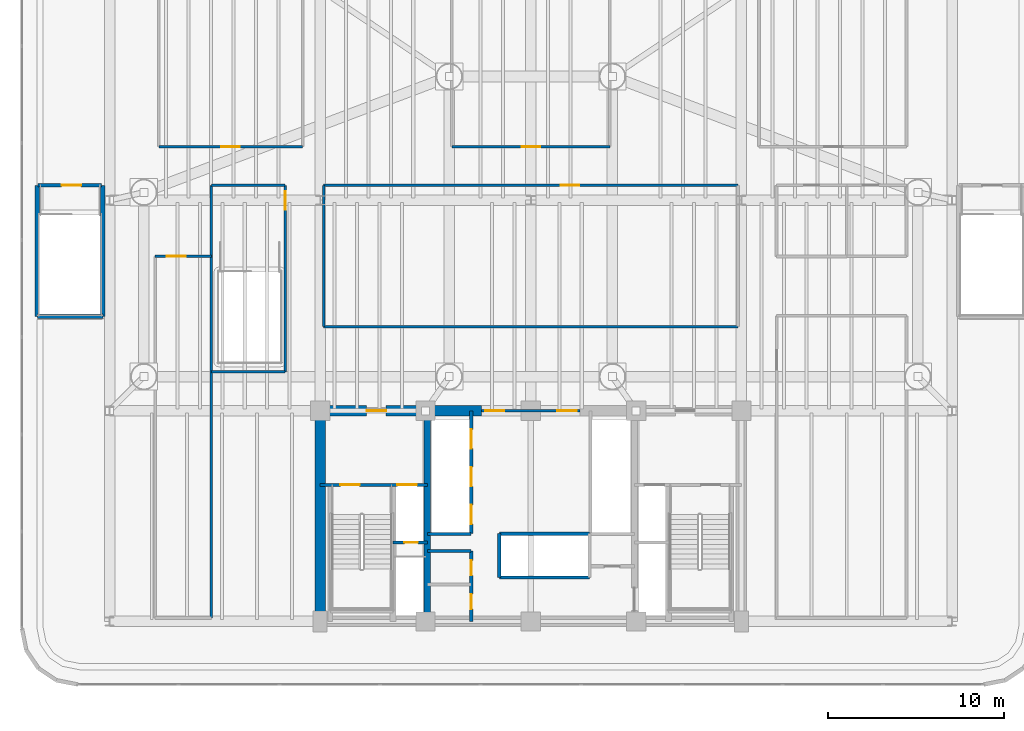
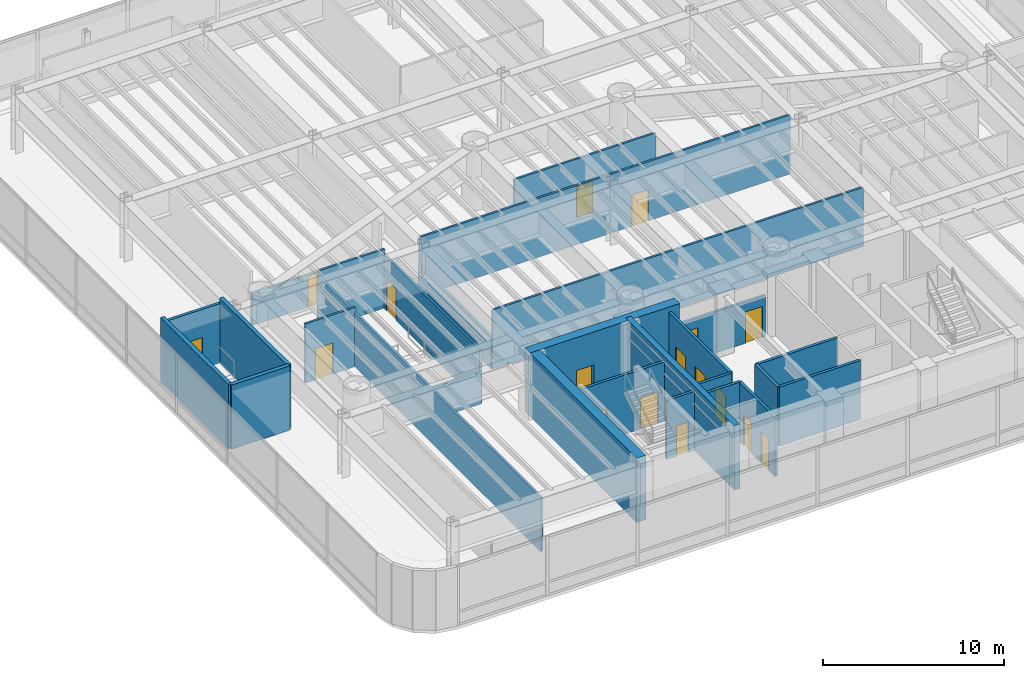
# One storey, part 13 of 18: 27 walls, 17 doors, 17 openings.
"""IFC4 building model written with IfcOpenShell, lengths in metres."""

import ifcopenshell
import ifcopenshell.guid

model = None  # the IFC model being written
_history = None  # IfcOwnerHistory: only IFC2X3 demands one
_inside = {}  # id of a spatial element -> (the spatial element, [elements in it])
_under = {}  # id of a project, library or spatial element -> (it, [spatial elements below it])
_declared = {}  # id of a project -> (the project, [libraries it declares])
_typed = {}  # id of a type object -> (the type object, [elements of that type])
_made_of = {}  # id of a material, layer set ... -> (it, [elements and type objects made of it])


def new_model(schema):
    """Start an empty IFC model of exactly this schema.

    Asked for "IFC4X3", IfcOpenShell would pick the latest addendum, in which some entities
    have other attributes; the version numbers below select the first issue.
    IFC2X3 requires an IfcOwnerHistory on every rooted entity: one is made here for all.
    """
    global model, _history
    if schema == "IFC4X3":
        model = ifcopenshell.file(schema_version=(4, 3, 0, 0))
    else:
        model = ifcopenshell.file(schema=schema)
    _inside.clear()
    _under.clear()
    _declared.clear()
    _typed.clear()
    _made_of.clear()
    _history = None
    if model.schema == "IFC2X3":
        org = make("IfcOrganization", Name="unknown")
        user = make(
            "IfcPersonAndOrganization",
            ThePerson=make("IfcPerson", FamilyName="unknown"),
            TheOrganization=org,
        )
        app = make(
            "IfcApplication",
            ApplicationDeveloper=org,
            Version="unknown",
            ApplicationFullName="unknown",
            ApplicationIdentifier="unknown",
        )
        _history = make(
            "IfcOwnerHistory",
            OwningUser=user,
            OwningApplication=app,
            ChangeAction="ADDED",
            CreationDate=0,
        )
    return model


def make(cls, **values):
    """One entity of the class cls with the attributes given. An attribute that is None is left unset."""
    return model.create_entity(
        cls, **{name: value for name, value in values.items() if value is not None}
    )


def rooted(cls, **values):
    """An entity with a GlobalId (a new one), such as an element, a storey or a relation."""
    return make(cls, GlobalId=ifcopenshell.guid.new(), OwnerHistory=_history, **values)


def si_unit(unit_type, name, prefix=None):
    """IfcSIUnit, for example si_unit("LENGTHUNIT", "METRE", prefix="MILLI")."""
    return make("IfcSIUnit", UnitType=unit_type, Prefix=prefix, Name=name)


def assignment(units):
    """IfcUnitAssignment: the units of a project."""
    return None if units is None else make("IfcUnitAssignment", Units=units)


def point(xyz):
    """IfcCartesianPoint."""
    return None if xyz is None else make("IfcCartesianPoint", Coordinates=xyz)


def direction(xyz):
    """IfcDirection."""
    return None if xyz is None else make("IfcDirection", DirectionRatios=xyz)


def frame(location, z_axis=None, x_axis=None):
    """IfcAxis2Placement3D, a coordinate frame: its origin and axes. An axis left out is left unset."""
    return make(
        "IfcAxis2Placement3D",
        Location=point(location),
        Axis=direction(z_axis),
        RefDirection=direction(x_axis),
    )


def frame_2d(location, x_axis=None):
    """IfcAxis2Placement2D, a coordinate frame in the plane: its origin and x axis."""
    return make(
        "IfcAxis2Placement2D", Location=point(location), RefDirection=direction(x_axis)
    )


def origin():
    """The frame at (0, 0, 0) with its axes left unset."""
    return frame((0.0, 0.0, 0.0))


def origin_2d():
    """The frame at (0, 0) in the plane with its x axis left unset."""
    return frame_2d((0.0, 0.0))


def place(relative_to, where):
    """IfcLocalPlacement: puts the frame where relative to a parent placement (None: the world)."""
    return make(
        "IfcLocalPlacement", PlacementRelTo=relative_to, RelativePlacement=where
    )


def context(
    kind, dimensions, precision=None, world=None, true_north=None, identifier=None
):
    """IfcGeometricRepresentationContext, for example the 3D "Model" context."""
    return make(
        "IfcGeometricRepresentationContext",
        ContextIdentifier=identifier,
        ContextType=kind,
        CoordinateSpaceDimension=dimensions,
        Precision=precision,
        WorldCoordinateSystem=world,
        TrueNorth=true_north,
    )


def subcontext(parent, identifier, kind, view, scale=None):
    """IfcGeometricRepresentationSubContext, for example "Body" below "Model"."""
    return make(
        "IfcGeometricRepresentationSubContext",
        ContextIdentifier=identifier,
        ContextType=kind,
        ParentContext=parent,
        TargetScale=scale,
        TargetView=view,
    )


def project(units=None, contexts=None):
    """IfcProject with its units and contexts."""
    return rooted(
        "IfcProject",
        Name="project",
        RepresentationContexts=contexts,
        UnitsInContext=assignment(units),
    )


def spatial(cls, under=None, at=None, **own):
    """A site, building, storey or space (cls), placed at a placement, below another one or the project."""
    s = rooted(cls, ObjectPlacement=at, **own)
    if under is not None:
        _under.setdefault(under.id(), (under, []))[1].append(s)
    return s


def profile(cls, at=None, kind="AREA", **sizes):
    """A parametric profile (cls). Its sizes go by their IFC names, for example OverallWidth=200.0."""
    return make(cls, ProfileType=kind, Position=at, **sizes)


def rectangle(**sizes):
    """IfcRectangleProfileDef."""
    return profile("IfcRectangleProfileDef", **sizes)


def extrude(swept, where, along, depth):
    """IfcExtrudedAreaSolid: the profile swept, set in the frame where, extruded along a direction by depth."""
    return make(
        "IfcExtrudedAreaSolid",
        SweptArea=swept,
        Position=where,
        ExtrudedDirection=direction(along),
        Depth=depth,
    )


def shape(context_of_items, identifier, shape_type, items):
    """IfcShapeRepresentation: the items that make up one representation, for example the "Body"."""
    return make(
        "IfcShapeRepresentation",
        ContextOfItems=context_of_items,
        RepresentationIdentifier=identifier,
        RepresentationType=shape_type,
        Items=items,
    )


def source(mapping_origin, context_of_items, identifier, shape_type, items):
    """IfcRepresentationMap: a shape defined once, which mapped items show again and again."""
    return make(
        "IfcRepresentationMap",
        MappingOrigin=mapping_origin,
        MappedRepresentation=shape(context_of_items, identifier, shape_type, items),
    )


def transform(
    local_origin,
    x_axis=None,
    y_axis=None,
    z_axis=None,
    scale=None,
    scale2=None,
    scale3=None,
    uniform=True,
):
    """IfcCartesianTransformationOperator3D, or its non-uniform kind. x_axis, y_axis, z_axis: its Axis1, 2, 3."""
    if uniform:
        return make(
            "IfcCartesianTransformationOperator3D",
            Axis1=direction(x_axis),
            Axis2=direction(y_axis),
            LocalOrigin=point(local_origin),
            Scale=scale,
            Axis3=direction(z_axis),
        )
    return make(
        "IfcCartesianTransformationOperator3DnonUniform",
        Axis1=direction(x_axis),
        Axis2=direction(y_axis),
        LocalOrigin=point(local_origin),
        Scale=scale,
        Axis3=direction(z_axis),
        Scale2=scale2,
        Scale3=scale3,
    )


def mapped(mapping_source, mapping_target):
    """IfcMappedItem: shows the shape of a source again, moved by a transform."""
    return make(
        "IfcMappedItem", MappingSource=mapping_source, MappingTarget=mapping_target
    )


def material(Name=None, Category=None):
    """IfcMaterial."""
    return make("IfcMaterial", Name=Name, Category=Category)


def layer(
    of_material, thickness, ventilated=None, Name=None, Category=None, Priority=None
):
    """IfcMaterialLayer: one layer of a wall or slab, of a material (None: an air gap)."""
    return make(
        "IfcMaterialLayer",
        Material=of_material,
        LayerThickness=thickness,
        IsVentilated=ventilated,
        Name=Name,
        Category=Category,
        Priority=Priority,
    )


def layer_set(layers, Name=None):
    """IfcMaterialLayerSet."""
    return make("IfcMaterialLayerSet", MaterialLayers=layers, LayerSetName=Name)


def made_of(thing, what):
    """Note that an element or type object is made of a material, layer set ...; save() writes the relation."""
    if what is not None:
        _made_of.setdefault(what.id(), (what, []))[1].append(thing)
    return thing


def type_object(cls, material=None, **own):
    """A type object (cls), such as IfcWallType, which elements share."""
    return made_of(rooted(cls, **own), material)


def element(
    cls,
    number,
    at=None,
    inside=None,
    cuts=None,
    type_object=None,
    material=None,
    context=None,
    identifier="Body",
    shape_type=None,
    held_by="IfcProductDefinitionShape",
    body=None,
    shapes=None,
    **own,
):
    """One element of the class cls, such as IfcWall. Its Tag is "e" and its number.

    at: its placement. inside: the storey or other place that contains it. cuts: it is an
    opening in that element (IfcRelVoidsElement). A single representation is given by context,
    identifier, shape_type and body (its items); several are given by shapes. held_by: the class
    of the entity that holds the representations. save() writes the other relations.
    """
    e = rooted(cls, Tag="e%d" % number, ObjectPlacement=at, **own)
    if body is not None:
        shapes = [shape(context, identifier, shape_type, body)]
    if shapes is not None:
        e.Representation = make(held_by, Representations=shapes)
    if inside is not None:
        _inside.setdefault(inside.id(), (inside, []))[1].append(e)
    if cuts is not None:
        rooted(
            "IfcRelVoidsElement", RelatingBuildingElement=cuts, RelatedOpeningElement=e
        )
    if type_object is not None:
        _typed.setdefault(type_object.id(), (type_object, []))[1].append(e)
    return made_of(e, material)


def fill(opening, filler):
    """IfcRelFillsElement: the door or window that sits in an opening."""
    return rooted(
        "IfcRelFillsElement",
        RelatingOpeningElement=opening,
        RelatedBuildingElement=filler,
    )


def aggregate(whole, parts):
    """IfcRelAggregates: a whole, such as a stair, and the parts it consists of."""
    return rooted("IfcRelAggregates", RelatingObject=whole, RelatedObjects=parts)


def save(model, path):
    """Write the relations noted so far, then the file.

    IfcRelAggregates (storeys below a building ...), IfcRelContainedInSpatialStructure (elements
    in a storey), IfcRelDefinesByType, IfcRelAssociatesMaterial and IfcRelDeclares: one each for
    every whole, place, type object, material and project.
    """
    for whole, parts in _under.values():
        aggregate(whole, parts)
    for where, things in _inside.values():
        rooted(
            "IfcRelContainedInSpatialStructure",
            RelatedElements=things,
            RelatingStructure=where,
        )
    for kind, things in _typed.values():
        rooted("IfcRelDefinesByType", RelatedObjects=things, RelatingType=kind)
    for what, things in _made_of.values():
        rooted("IfcRelAssociatesMaterial", RelatedObjects=things, RelatingMaterial=what)
    for by, libraries in _declared.values():
        rooted("IfcRelDeclares", RelatingContext=by, RelatedDefinitions=libraries)
    model.write(path)


model = new_model("IFC4")

# Units and contexts
model_context = context("Model", 3, precision=1e-05, world=origin(), true_north=direction((0.0, 1.0)))
body_context = subcontext(model_context, "Body", "Model", "MODEL_VIEW")
ifc_project = project(units=[si_unit("LENGTHUNIT", "METRE"), si_unit("AREAUNIT", "SQUARE_METRE"), si_unit("VOLUMEUNIT", "CUBIC_METRE"), si_unit("PLANEANGLEUNIT", "RADIAN"), si_unit("MASSUNIT", "GRAM", prefix="KILO")], contexts=[model_context])

# Site, building, storey
site_placement = place(None, origin())
site = spatial("IfcSite", under=ifc_project, at=site_placement, CompositionType="ELEMENT")
building_placement = place(site_placement, origin())
building = spatial("IfcBuilding", under=site, at=building_placement, Name="Brelvock Crest Care Tower", CompositionType="ELEMENT")
storey_placement = place(building_placement, frame((0.0, 0.0, 22.679931640625)))
storey = spatial("IfcBuildingStorey", under=building, at=storey_placement, Name="L05", CompositionType="ELEMENT", Elevation=22.679931640625)

# Wall
ifc_material_1 = material(Name="Concrete S80 (80 MPa)", Category="concrete")
ifc_layer_1 = layer(ifc_material_1, 0.60009765625, Name="WL-CS1")
ifc_layer_set_1 = layer_set([ifc_layer_1], Name="Concrete S80 (80 MPa)")
wall_type_1 = type_object("IfcWallType", Name="WL-CS1", PredefinedType="SHEAR", material=ifc_layer_set_1)
wall_1_placement = place(storey_placement, frame((24.0, 6.0, 0.0), z_axis=(0.0, 0.0, 1.0), x_axis=(0.0, 1.0, 0.0)))
element("IfcWall", 1, at=wall_1_placement, inside=storey, type_object=wall_type_1, Name="L05 Core West Shear Wall", PredefinedType="SHEAR", context=body_context, shape_type="SweptSolid", body=[
    extrude(rectangle(XDim=12.0, YDim=0.60009765625, at=frame_2d((6.0, 0.0))), origin(), (0.0, 0.0, 1.0), 4.320068359375),
])

# Wall, opening, door
wall_2_placement = place(storey_placement, frame((23.699951171875, 18.0, 0.0), z_axis=(0.0, 0.0, 1.0), x_axis=(1.0, 0.0, 0.0)))
wall_2 = element("IfcWall", 2, at=wall_2_placement, inside=storey, type_object=wall_type_1, Name="L05 Core North-West Shear Wall", PredefinedType="SHEAR", context=body_context, shape_type="SweptSolid", body=[
    extrude(rectangle(XDim=9.5, YDim=0.60009765625, at=frame_2d((4.75, 0.0))), origin(), (0.0, 0.0, 1.0), 4.320068359375),
])
opening_1_placement = place(wall_2_placement, frame((2.949951171875, 0.0, 0.0)))
opening_1 = element("IfcOpeningElement", 3, at=opening_1_placement, cuts=wall_2, Name="Opening FD-1", PredefinedType="OPENING", context=body_context, shape_type="SweptSolid", body=[
    extrude(rectangle(XDim=1.10009765625, YDim=2.10009765625, at=origin_2d()), frame((0.550048828125, 0.31005859375, 1.050048828125), z_axis=(0.0, -1.0, 0.0), x_axis=(1.0, 0.0, 0.0)), (0.0, 0.0, 1.0), 0.6201171875),
])
ifc_material_2 = material(Name="Steel Grade 350", Category="steel")
door_type_1 = type_object("IfcDoorType", Name="DR-FFL1", OperationType="NOTDEFINED", PredefinedType="DOOR", material=ifc_material_2)
shared_shape_1 = source(origin(), body_context, "Body", "SweptSolid", [
    extrude(rectangle(XDim=1.10009765625, YDim=2.10009765625, at=origin_2d()), frame((0.550048828125, 0.02490234375, 1.050048828125), z_axis=(0.0, -1.0, 0.0), x_axis=(1.0, 0.0, 0.0)), (0.0, 0.0, 1.0), 0.050048828125),
])
door_1_placement = place(opening_1_placement, origin())
door_1 = element("IfcDoor", 4, at=door_1_placement, inside=storey, type_object=door_type_1, Name="L05 Firefighting Lobby FFL-1 Exit Door", OperationType="SINGLE_SWING_LEFT", OverallHeight=2.10009765625, OverallWidth=1.10009765625, PredefinedType="DOOR", context=body_context, shape_type="MappedRepresentation", body=[
    mapped(shared_shape_1, transform((0.0, 0.0, 0.0), x_axis=(1.0, 0.0, 0.0), y_axis=(0.0, 1.0, 0.0), z_axis=(0.0, 0.0, 1.0), scale=1.0)),
])
fill(opening_1, door_1)

# Walls
ifc_layer_2 = layer(ifc_material_1, 0.35009765625, Name="WL-CS5")
ifc_layer_set_2 = layer_set([ifc_layer_2], Name="Concrete S80 (80 MPa)")
wall_type_2 = type_object("IfcWallType", Name="WL-CS5", PredefinedType="SHEAR", material=ifc_layer_set_2)
wall_3_placement = place(storey_placement, frame((30.10009765625, 6.0, 0.0), z_axis=(0.0, 0.0, 1.0), x_axis=(0.0, 1.0, 0.0)))
element("IfcWall", 5, at=wall_3_placement, inside=storey, type_object=wall_type_2, Name="L05 Core Internal Web Wall West", PredefinedType="SHEAR", context=body_context, shape_type="SweptSolid", body=[
    extrude(rectangle(XDim=12.0, YDim=0.35009765625, at=frame_2d((6.0, 0.0))), origin(), (0.0, 0.0, 1.0), 4.320068359375),
])
ifc_layer_3 = layer(ifc_material_1, 0.25, Name="WL-CS6")
ifc_layer_set_3 = layer_set([ifc_layer_3], Name="Concrete S80 (80 MPa)")
wall_type_3 = type_object("IfcWallType", Name="WL-CS6", PredefinedType="SHEAR", material=ifc_layer_set_3)
wall_4_placement = place(storey_placement, frame((7.8798828125, 23.3798828125, 0.0), z_axis=(0.0, 0.0, 1.0), x_axis=(1.0, 0.0, 0.0)))
element("IfcWall", 6, at=wall_4_placement, inside=storey, type_object=wall_type_3, Name="L05 Podium Stair ST-3 South Shear Wall", PredefinedType="SHEAR", context=body_context, shape_type="SweptSolid", body=[
    extrude(rectangle(XDim=3.740234375, YDim=0.25, at=frame_2d((1.8701171875, 0.0))), origin(), (0.0, 0.0, 1.0), 4.320068359375),
])
for number, where, z_axis, x_axis, name in (
    (7, (7.8798828125, 23.3798828125, 0.0), (0.0, 0.0, 1.0), (0.0, 1.0, 0.0), "L05 Podium Stair ST-3 West Shear Wall"),
    (8, (11.6201171875, 23.3798828125, 0.0), (0.0, 0.0, 1.0), (0.0, 1.0, 0.0), "L05 Podium Stair ST-3 East Shear Wall"),
):
    element("IfcWall", number, at=place(storey_placement, frame(where, z_axis=z_axis, x_axis=x_axis)), inside=storey, type_object=wall_type_3, Name=name, PredefinedType="SHEAR", context=body_context, shape_type="SweptSolid", body=[
        extrude(rectangle(XDim=7.47021484375, YDim=0.25, at=frame_2d((3.735107421875, 0.0))), origin(), (0.0, 0.0, 1.0), 4.320068359375),
    ])

# Wall, openings, doors
ifc_material_3 = material(Name="Masonry Blockwork Acoustic Partition", Category="masonry")
ifc_layer_4 = layer(ifc_material_3, 0.14990234375, Name="WL-INT1")
ifc_layer_set_4 = layer_set([ifc_layer_4], Name="Masonry Blockwork Acoustic Partition")
wall_type_4 = type_object("IfcWallType", Name="WL-INT1", PredefinedType="PARTITIONING", material=ifc_layer_set_4)
wall_5_placement = place(storey_placement, frame((33.199951171875, 18.0, 0.0), z_axis=(0.0, 0.0, 1.0), x_axis=(1.0, 0.0, 0.0)))
wall_5 = element("IfcWall", 9, at=wall_5_placement, inside=storey, type_object=wall_type_4, Name="L05 Interior Wall WL-CORE-NPORT-L05", PredefinedType="PARTITIONING", context=body_context, shape_type="SweptSolid", body=[
    extrude(rectangle(XDim=5.60009765625, YDim=0.14990234375, at=frame_2d((2.800048828125, 0.0))), origin(), (0.0, 0.0, 1.0), 2.78515625),
])
opening_2_placement = place(wall_5_placement, frame((0.18994140625, 0.0, 0.0)))
opening_2 = element("IfcOpeningElement", 10, at=opening_2_placement, cuts=wall_5, Name="Opening FD-1", PredefinedType="OPENING", context=body_context, shape_type="SweptSolid", body=[
    extrude(rectangle(XDim=1.10009765625, YDim=2.10009765625, at=origin_2d()), frame((0.550048828125, 0.0849609375, 1.050048828125), z_axis=(0.0, -1.0, 0.0), x_axis=(1.0, 0.0, 0.0)), (0.0, 0.0, 1.0), 0.169921875),
])
opening_3_placement = place(wall_5_placement, frame((4.31005859375, 0.0, 0.0)))
opening_3 = element("IfcOpeningElement", 11, at=opening_3_placement, cuts=wall_5, Name="Opening FD-1", PredefinedType="OPENING", context=body_context, shape_type="SweptSolid", body=[
    extrude(rectangle(XDim=1.10009765625, YDim=2.10009765625, at=origin_2d()), frame((0.550048828125, 0.0849609375, 1.050048828125), z_axis=(0.0, -1.0, 0.0), x_axis=(1.0, 0.0, 0.0)), (0.0, 0.0, 1.0), 0.169921875),
])
door_2_placement = place(opening_2_placement, origin())
door_2 = element("IfcDoor", 12, at=door_2_placement, inside=storey, type_object=door_type_1, Name="L05 Lift Lobby North Smoke Door West", OperationType="SINGLE_SWING_LEFT", OverallHeight=2.10009765625, OverallWidth=1.10009765625, PredefinedType="DOOR", context=body_context, shape_type="MappedRepresentation", body=[
    mapped(shared_shape_1, transform((0.0, 0.0, 0.0), x_axis=(1.0, 0.0, 0.0), y_axis=(0.0, 1.0, 0.0), z_axis=(0.0, 0.0, 1.0), scale=1.0)),
])
fill(opening_2, door_2)
door_3_placement = place(opening_3_placement, origin())
door_3 = element("IfcDoor", 13, at=door_3_placement, inside=storey, type_object=door_type_1, Name="L05 Lift Lobby North Smoke Door East", OperationType="SINGLE_SWING_RIGHT", OverallHeight=2.10009765625, OverallWidth=1.10009765625, PredefinedType="DOOR", context=body_context, shape_type="MappedRepresentation", body=[
    mapped(shared_shape_1, transform((0.0, 0.0, 0.0), x_axis=(1.0, 0.0, 0.0), y_axis=(0.0, 1.0, 0.0), z_axis=(0.0, 0.0, 1.0), scale=1.0)),
])
fill(opening_3, door_3)

# Walls
wall_6_placement = place(storey_placement, frame((17.800048828125, 20.219970703125, 0.0), z_axis=(0.0, 0.0, 1.0), x_axis=(1.0, 0.0, 0.0)))
element("IfcWall", 14, at=wall_6_placement, inside=storey, type_object=wall_type_4, Name="L05 Interior Wall WL-BX-L05-ATRM-S", PredefinedType="PARTITIONING", context=body_context, shape_type="SweptSolid", body=[
    extrude(rectangle(XDim=4.199951171875, YDim=0.14990234375, at=frame_2d((2.10009765625, 0.0))), origin(), (0.0, 0.0, 1.0), 2.18505859375),
])
wall_7_placement = place(storey_placement, frame((24.199951171875, 22.800048828125, 0.0), z_axis=(0.0, 0.0, 1.0), x_axis=(1.0, 0.0, 0.0)))
element("IfcWall", 15, at=wall_7_placement, inside=storey, type_object=wall_type_4, Name="L05 Interior Wall WL-BX-L05-BRD-S", PredefinedType="PARTITIONING", context=body_context, shape_type="SweptSolid", body=[
    extrude(rectangle(XDim=23.60009765625, YDim=0.14990234375, at=frame_2d((11.800048828125, 0.0))), origin(), (0.0, 0.0, 1.0), 3.969970703125),
])

# Wall, opening, door
wall_8_placement = place(storey_placement, frame((14.60009765625, 26.800048828125, 0.0), z_axis=(0.0, 0.0, 1.0), x_axis=(1.0, 0.0, 0.0)))
wall_8 = element("IfcWall", 16, at=wall_8_placement, inside=storey, type_object=wall_type_4, Name="L05 Interior Wall WL-RM-L05-MPL", PredefinedType="PARTITIONING", context=body_context, shape_type="SweptSolid", body=[
    extrude(rectangle(XDim=3.199951171875, YDim=0.14990234375, at=frame_2d((1.60009765625, 0.0))), origin(), (0.0, 0.0, 1.0), 3.969970703125),
])
opening_4_placement = place(wall_8_placement, frame((0.64990234375, 0.0, 0.0)))
opening_4 = element("IfcOpeningElement", 17, at=opening_4_placement, cuts=wall_8, Name="Opening PD-1", PredefinedType="OPENING", context=body_context, shape_type="SweptSolid", body=[
    extrude(rectangle(XDim=1.10009765625, YDim=2.10009765625, at=origin_2d()), frame((0.550048828125, 0.0849609375, 1.050048828125), z_axis=(0.0, -1.0, 0.0), x_axis=(1.0, 0.0, 0.0)), (0.0, 0.0, 1.0), 0.169921875),
])
door_type_2 = type_object("IfcDoorType", Name="DR-PLT1", OperationType="NOTDEFINED", PredefinedType="DOOR", material=ifc_material_2)
shared_shape_2 = source(origin(), body_context, "Body", "SweptSolid", [
    extrude(rectangle(XDim=1.10009765625, YDim=2.10009765625, at=origin_2d()), frame((0.550048828125, 0.02490234375, 1.050048828125), z_axis=(0.0, -1.0, 0.0), x_axis=(1.0, 0.0, 0.0)), (0.0, 0.0, 1.0), 0.050048828125),
])
door_4_placement = place(opening_4_placement, origin())
door_4 = element("IfcDoor", 18, at=door_4_placement, inside=storey, type_object=door_type_2, Name="L05 Podium AHU Mechanical Plant Door MPL", OperationType="SINGLE_SWING_LEFT", OverallHeight=2.10009765625, OverallWidth=1.10009765625, PredefinedType="DOOR", context=body_context, shape_type="MappedRepresentation", body=[
    mapped(shared_shape_2, transform((0.0, 0.0, 0.0), x_axis=(1.0, 0.0, 0.0), y_axis=(0.0, 1.0, 0.0), z_axis=(0.0, 0.0, 1.0), scale=1.0)),
])
fill(opening_4, door_4)

# Wall
wall_9_placement = place(storey_placement, frame((17.800048828125, 30.85009765625, 0.0), z_axis=(0.0, 0.0, 1.0), x_axis=(1.0, 0.0, 0.0)))
element("IfcWall", 19, at=wall_9_placement, inside=storey, type_object=wall_type_4, Name="L05 Interior Wall WL-BX-L05-ATRM-N", PredefinedType="PARTITIONING", context=body_context, shape_type="SweptSolid", body=[
    extrude(rectangle(XDim=4.199951171875, YDim=0.14990234375, at=frame_2d((2.10009765625, 0.0))), origin(), (0.0, 0.0, 1.0), 3.969970703125),
])

# Wall, opening, door
wall_10_placement = place(storey_placement, frame((24.199951171875, 30.85009765625, 0.0), z_axis=(0.0, 0.0, 1.0), x_axis=(1.0, 0.0, 0.0)))
wall_10 = element("IfcWall", 20, at=wall_10_placement, inside=storey, type_object=wall_type_4, Name="L05 Interior Wall WL-RM-L05-BRD", PredefinedType="PARTITIONING", context=body_context, shape_type="SweptSolid", body=[
    extrude(rectangle(XDim=23.60009765625, YDim=0.14990234375, at=frame_2d((11.800048828125, 0.0))), origin(), (0.0, 0.0, 1.0), 3.969970703125),
])
opening_5_placement = place(wall_10_placement, frame((13.514892578125, 0.0, 0.0)))
opening_5 = element("IfcOpeningElement", 21, at=opening_5_placement, cuts=wall_10, Name="Opening CLD-1", PredefinedType="OPENING", context=body_context, shape_type="SweptSolid", body=[
    extrude(rectangle(XDim=1.050048828125, YDim=2.10009765625, at=origin_2d()), frame((0.52490234375, 0.0849609375, 1.050048828125), z_axis=(0.0, -1.0, 0.0), x_axis=(1.0, 0.0, 0.0)), (0.0, 0.0, 1.0), 0.169921875),
])
ifc_material_4 = material(Name="Engineered Hardwood Timber", Category="wood")
door_type_3 = type_object("IfcDoorType", Name="DR-CLN1", OperationType="NOTDEFINED", PredefinedType="DOOR", material=ifc_material_4)
shared_shape_3 = source(origin(), body_context, "Body", "SweptSolid", [
    extrude(rectangle(XDim=1.050048828125, YDim=2.10009765625, at=origin_2d()), frame((0.52490234375, 0.02490234375, 1.050048828125), z_axis=(0.0, -1.0, 0.0), x_axis=(1.0, 0.0, 0.0)), (0.0, 0.0, 1.0), 0.050048828125),
])
door_5_placement = place(opening_5_placement, origin())
door_5 = element("IfcDoor", 22, at=door_5_placement, inside=storey, type_object=door_type_3, Name="L05 Executive Board and Library Door BRD", OperationType="SINGLE_SWING_LEFT", OverallHeight=2.10009765625, OverallWidth=1.050048828125, PredefinedType="DOOR", context=body_context, shape_type="MappedRepresentation", body=[
    mapped(shared_shape_3, transform((0.0, 0.0, 0.0), x_axis=(1.0, 0.0, 0.0), y_axis=(0.0, 1.0, 0.0), z_axis=(0.0, 0.0, 1.0), scale=1.0)),
])
fill(opening_5, door_5)

wall_11_placement = place(storey_placement, frame((14.800048828125, 33.050048828125, 0.0), z_axis=(0.0, 0.0, 1.0), x_axis=(1.0, 0.0, 0.0)))
wall_11 = element("IfcWall", 23, at=wall_11_placement, inside=storey, type_object=wall_type_4, Name="L05 Interior Wall WL-RM-L05-AUD", PredefinedType="PARTITIONING", context=body_context, shape_type="SweptSolid", body=[
    extrude(rectangle(XDim=8.199951171875, YDim=0.14990234375, at=frame_2d((4.10009765625, 0.0))), origin(), (0.0, 0.0, 1.0), 2.18505859375),
])
opening_6_placement = place(wall_11_placement, frame((3.574951171875, 0.0, 0.0)))
opening_6 = element("IfcOpeningElement", 24, at=opening_6_placement, cuts=wall_11, Name="Opening CLD-1", PredefinedType="OPENING", context=body_context, shape_type="SweptSolid", body=[
    extrude(rectangle(XDim=1.050048828125, YDim=2.10009765625, at=origin_2d()), frame((0.52490234375, 0.0849609375, 1.050048828125), z_axis=(0.0, -1.0, 0.0), x_axis=(1.0, 0.0, 0.0)), (0.0, 0.0, 1.0), 0.169921875),
])
door_6_placement = place(opening_6_placement, origin())
door_6 = element("IfcDoor", 25, at=door_6_placement, inside=storey, type_object=door_type_3, Name="L05 Care Staff Training Auditorium Door AUD", OperationType="SINGLE_SWING_LEFT", OverallHeight=2.10009765625, OverallWidth=1.050048828125, PredefinedType="DOOR", context=body_context, shape_type="MappedRepresentation", body=[
    mapped(shared_shape_3, transform((0.0, 0.0, 0.0), x_axis=(1.0, 0.0, 0.0), y_axis=(0.0, 1.0, 0.0), z_axis=(0.0, 0.0, 1.0), scale=1.0)),
])
fill(opening_6, door_6)

wall_12_placement = place(storey_placement, frame((31.5, 33.050048828125, 0.0), z_axis=(0.0, 0.0, 1.0), x_axis=(1.0, 0.0, 0.0)))
wall_12 = element("IfcWall", 26, at=wall_12_placement, inside=storey, type_object=wall_type_4, Name="L05 Interior Wall WL-RM-L05-OFF1", PredefinedType="PARTITIONING", context=body_context, shape_type="SweptSolid", body=[
    extrude(rectangle(XDim=9.0, YDim=0.14990234375, at=frame_2d((4.5, 0.0))), origin(), (0.0, 0.0, 1.0), 3.969970703125),
])
opening_7_placement = place(wall_12_placement, frame((3.97509765625, 0.0, 0.0)))
opening_7 = element("IfcOpeningElement", 27, at=opening_7_placement, cuts=wall_12, Name="Opening CLD-1", PredefinedType="OPENING", context=body_context, shape_type="SweptSolid", body=[
    extrude(rectangle(XDim=1.050048828125, YDim=2.10009765625, at=origin_2d()), frame((0.52490234375, 0.0849609375, 1.050048828125), z_axis=(0.0, -1.0, 0.0), x_axis=(1.0, 0.0, 0.0)), (0.0, 0.0, 1.0), 0.169921875),
])
door_7_placement = place(opening_7_placement, origin())
door_7 = element("IfcDoor", 28, at=door_7_placement, inside=storey, type_object=door_type_3, Name="L05 Clinical Governance Offices Door OFF1", OperationType="SINGLE_SWING_LEFT", OverallHeight=2.10009765625, OverallWidth=1.050048828125, PredefinedType="DOOR", context=body_context, shape_type="MappedRepresentation", body=[
    mapped(shared_shape_3, transform((0.0, 0.0, 0.0), x_axis=(1.0, 0.0, 0.0), y_axis=(0.0, 1.0, 0.0), z_axis=(0.0, 0.0, 1.0), scale=1.0)),
])
fill(opening_7, door_7)

# Wall
wall_13_placement = place(storey_placement, frame((17.800048828125, 6.199951171875, 0.0), z_axis=(0.0, 0.0, 1.0), x_axis=(0.0, 1.0, 0.0)))
element("IfcWall", 29, at=wall_13_placement, inside=storey, type_object=wall_type_4, Name="L05 Interior Wall WL-BX-L05-MPL-E", PredefinedType="PARTITIONING", context=body_context, shape_type="SweptSolid", body=[
    extrude(rectangle(XDim=24.650146484375, YDim=0.14990234375, at=frame_2d((12.3251953125, 0.0))), origin(), (0.0, 0.0, 1.0), 3.6259765625),
])

# Wall, opening, door
wall_14_placement = place(storey_placement, frame((22.0, 20.219970703125, 0.0), z_axis=(0.0, 0.0, 1.0), x_axis=(0.0, 1.0, 0.0)))
wall_14 = element("IfcWall", 30, at=wall_14_placement, inside=storey, type_object=wall_type_4, Name="L05 Interior Wall WL-RM-L05-ATRM", PredefinedType="PARTITIONING", context=body_context, shape_type="SweptSolid", body=[
    extrude(rectangle(XDim=10.630126953125, YDim=0.14990234375, at=frame_2d((5.31494140625, 0.0))), origin(), (0.0, 0.0, 1.0), 3.6259765625),
])
opening_8_placement = place(wall_14_placement, frame((9.235107421875, 0.0, 0.0)))
opening_8 = element("IfcOpeningElement", 31, at=opening_8_placement, cuts=wall_14, Name="Opening CLD-1", PredefinedType="OPENING", context=body_context, shape_type="SweptSolid", body=[
    extrude(rectangle(XDim=1.050048828125, YDim=2.10009765625, at=origin_2d()), frame((0.52490234375, 0.0849609375, 1.050048828125), z_axis=(0.0, -1.0, 0.0), x_axis=(1.0, 0.0, 0.0)), (0.0, 0.0, 1.0), 0.169921875),
])
door_8_placement = place(opening_8_placement, origin())
door_8 = element("IfcDoor", 32, at=door_8_placement, inside=storey, type_object=door_type_3, Name="L05 Clinic Atrium Stair Gallery Door ATRM", OperationType="SINGLE_SWING_LEFT", OverallHeight=2.10009765625, OverallWidth=1.050048828125, PredefinedType="DOOR", context=body_context, shape_type="MappedRepresentation", body=[
    mapped(shared_shape_3, transform((0.0, 0.0, 0.0), x_axis=(1.0, 0.0, 0.0), y_axis=(0.0, 1.0, 0.0), z_axis=(0.0, 0.0, 1.0), scale=1.0)),
])
fill(opening_8, door_8)

# Wall
wall_15_placement = place(storey_placement, frame((24.199951171875, 22.800048828125, 0.0), z_axis=(0.0, 0.0, 1.0), x_axis=(0.0, 1.0, 0.0)))
element("IfcWall", 33, at=wall_15_placement, inside=storey, type_object=wall_type_4, Name="L05 Interior Wall WL-BX-L05-BRD-W", PredefinedType="PARTITIONING", context=body_context, shape_type="SweptSolid", body=[
    extrude(rectangle(XDim=8.050048828125, YDim=0.14990234375, at=frame_2d((4.02490234375, 0.0))), origin(), (0.0, 0.0, 1.0), 2.18505859375),
])

# Wall, opening, door
ifc_layer_5 = layer(ifc_material_3, 0.179931640625, Name="WL-SHF1")
ifc_layer_set_5 = layer_set([ifc_layer_5], Name="Masonry Blockwork Acoustic Partition")
wall_type_5 = type_object("IfcWallType", Name="WL-SHF1", PredefinedType="PARTITIONING", material=ifc_layer_set_5)
wall_16_placement = place(storey_placement, frame((7.919921875, 30.85009765625, 0.0), z_axis=(0.0, 0.0, 1.0), x_axis=(1.0, 0.0, 0.0)))
wall_16 = element("IfcWall", 34, at=wall_16_placement, inside=storey, type_object=wall_type_5, Name="L05 Interior Wall WL-ST3-N-L05", PredefinedType="PARTITIONING", context=body_context, shape_type="SweptSolid", body=[
    extrude(rectangle(XDim=3.630126953125, YDim=0.179931640625, at=frame_2d((1.81494140625, 0.0))), origin(), (0.0, 0.0, 1.0), 4.0),
])
opening_9_placement = place(wall_16_placement, frame((1.35009765625, 0.0, 0.0)))
opening_9 = element("IfcOpeningElement", 35, at=opening_9_placement, cuts=wall_16, Name="Opening SD-1", PredefinedType="OPENING", context=body_context, shape_type="SweptSolid", body=[
    extrude(rectangle(XDim=1.10009765625, YDim=2.10009765625, at=origin_2d()), frame((0.550048828125, 0.10009765625, 1.050048828125), z_axis=(0.0, -1.0, 0.0), x_axis=(1.0, 0.0, 0.0)), (0.0, 0.0, 1.0), 0.199951171875),
])
door_type_4 = type_object("IfcDoorType", Name="DR-ST1", OperationType="NOTDEFINED", PredefinedType="DOOR", material=ifc_material_2)
shared_shape_4 = source(origin(), body_context, "Body", "SweptSolid", [
    extrude(rectangle(XDim=1.10009765625, YDim=2.10009765625, at=origin_2d()), frame((0.550048828125, 0.02490234375, 1.050048828125), z_axis=(0.0, -1.0, 0.0), x_axis=(1.0, 0.0, 0.0)), (0.0, 0.0, 1.0), 0.050048828125),
])
door_9_placement = place(opening_9_placement, origin())
door_9 = element("IfcDoor", 36, at=door_9_placement, inside=storey, type_object=door_type_4, Name="L05 Podium Stair ST-3 Door", OperationType="SINGLE_SWING_LEFT", OverallHeight=2.10009765625, OverallWidth=1.10009765625, PredefinedType="DOOR", context=body_context, shape_type="MappedRepresentation", body=[
    mapped(shared_shape_4, transform((0.0, 0.0, 0.0), x_axis=(1.0, 0.0, 0.0), y_axis=(0.0, 1.0, 0.0), z_axis=(0.0, 0.0, 1.0), scale=1.0)),
])
fill(opening_9, door_9)

# Walls
for number, where, z_axis, x_axis, name in (
    (37, (34.199951171875, 11.0, 0.0), (0.0, 0.0, 1.0), (1.0, 0.0, 0.0), "L05 Interior Wall WL-PLM-SHF-L05"),
    (38, (34.199951171875, 8.5, 0.0), (0.0, 0.0, 1.0), (1.0, 0.0, 0.0), "L05 Interior Wall WL-PLM-S-L05"),
):
    element("IfcWall", number, at=place(storey_placement, frame(where, z_axis=z_axis, x_axis=x_axis)), inside=storey, type_object=wall_type_5, Name=name, PredefinedType="PARTITIONING", context=body_context, shape_type="SweptSolid", body=[
        extrude(rectangle(XDim=5.150146484375, YDim=0.179931640625, at=frame_2d((2.5751953125, 0.0))), origin(), (0.0, 0.0, 1.0), 3.969970703125),
    ])
for number, where, z_axis, x_axis, name in (
    (39, (34.199951171875, 8.5, 0.0), (0.0, 0.0, 1.0), (0.0, 1.0, 0.0), "L05 Interior Wall WL-PLM-W-L05"),
    (40, (30.10009765625, 10.97998046875, 0.0), (0.0, 0.0, 1.0), (1.0, 0.0, 0.0), "L05 Interior Wall WL-CSBW-N-L05"),
    (41, (30.10009765625, 10.02001953125, 0.0), (0.0, 0.0, 1.0), (1.0, 0.0, 0.0), "L05 Interior Wall WL-CSBW-N2-L05"),
):
    element("IfcWall", number, at=place(storey_placement, frame(where, z_axis=z_axis, x_axis=x_axis)), inside=storey, type_object=wall_type_5, Name=name, PredefinedType="PARTITIONING", context=body_context, shape_type="SweptSolid", body=[
        extrude(rectangle(XDim=2.5, YDim=0.179931640625, at=frame_2d((1.25, 0.0))), origin(), (0.0, 0.0, 1.0), 3.969970703125),
    ])

# Wall, openings, doors
wall_17_placement = place(storey_placement, frame((32.60009765625, 6.0, 0.0), z_axis=(0.0, 0.0, 1.0), x_axis=(0.0, 1.0, 0.0)))
wall_17 = element("IfcWall", 42, at=wall_17_placement, inside=storey, type_object=wall_type_5, Name="L05 Interior Wall WL-CSBW-E-L05", PredefinedType="PARTITIONING", context=body_context, shape_type="SweptSolid", body=[
    extrude(rectangle(XDim=4.02001953125, YDim=0.179931640625, at=frame_2d((2.010009765625, 0.0))), origin(), (0.0, 0.0, 1.0), 3.969970703125),
])
opening_10_placement = place(wall_17_placement, frame((0.699951171875, 0.0, 0.0)))
opening_10 = element("IfcOpeningElement", 43, at=opening_10_placement, cuts=wall_17, Name="Opening ID-1", PredefinedType="OPENING", context=body_context, shape_type="SweptSolid", body=[
    extrude(rectangle(XDim=0.860107421875, YDim=2.10009765625, at=origin_2d()), frame((0.43017578125, 0.10009765625, 1.050048828125), z_axis=(0.0, -1.0, 0.0), x_axis=(1.0, 0.0, 0.0)), (0.0, 0.0, 1.0), 0.199951171875),
])
opening_11_placement = place(wall_17_placement, frame((2.6201171875, 0.0, 0.0)))
opening_11 = element("IfcOpeningElement", 44, at=opening_11_placement, cuts=wall_17, Name="Opening ID-1", PredefinedType="OPENING", context=body_context, shape_type="SweptSolid", body=[
    extrude(rectangle(XDim=0.860107421875, YDim=2.10009765625, at=origin_2d()), frame((0.43017578125, 0.10009765625, 1.050048828125), z_axis=(0.0, -1.0, 0.0), x_axis=(1.0, 0.0, 0.0)), (0.0, 0.0, 1.0), 0.199951171875),
])
door_type_5 = type_object("IfcDoorType", Name="DR-INT1", OperationType="NOTDEFINED", PredefinedType="DOOR", material=ifc_material_4)
shared_shape_5 = source(origin(), body_context, "Body", "SweptSolid", [
    extrude(rectangle(XDim=0.860107421875, YDim=2.10009765625, at=origin_2d()), frame((0.43017578125, 0.02490234375, 1.050048828125), z_axis=(0.0, -1.0, 0.0), x_axis=(1.0, 0.0, 0.0)), (0.0, 0.0, 1.0), 0.050048828125),
])
door_10_placement = place(opening_10_placement, origin())
door_10 = element("IfcDoor", 45, at=door_10_placement, inside=storey, type_object=door_type_5, Name="DR-CSBW1-L05", OperationType="SINGLE_SWING_LEFT", OverallHeight=2.10009765625, OverallWidth=0.860107421875, PredefinedType="DOOR", context=body_context, shape_type="MappedRepresentation", body=[
    mapped(shared_shape_5, transform((0.0, 0.0, 0.0), x_axis=(1.0, 0.0, 0.0), y_axis=(0.0, 1.0, 0.0), z_axis=(0.0, 0.0, 1.0), scale=1.0)),
])
fill(opening_10, door_10)
door_11_placement = place(opening_11_placement, origin())
door_11 = element("IfcDoor", 46, at=door_11_placement, inside=storey, type_object=door_type_5, Name="DR-CSBW2-L05", OperationType="SINGLE_SWING_RIGHT", OverallHeight=2.10009765625, OverallWidth=0.860107421875, PredefinedType="DOOR", context=body_context, shape_type="MappedRepresentation", body=[
    mapped(shared_shape_5, transform((0.0, 0.0, 0.0), x_axis=(1.0, 0.0, 0.0), y_axis=(0.0, 1.0, 0.0), z_axis=(0.0, 0.0, 1.0), scale=1.0)),
])
fill(opening_11, door_11)

wall_18_placement = place(storey_placement, frame((24.0, 13.780029296875, 0.0), z_axis=(0.0, 0.0, 1.0), x_axis=(1.0, 0.0, 0.0)))
wall_18 = element("IfcWall", 47, at=wall_18_placement, inside=storey, type_object=wall_type_5, Name="L05 Interior Wall WL-ST1-N-L05", PredefinedType="PARTITIONING", context=body_context, shape_type="SweptSolid", body=[
    extrude(rectangle(XDim=6.10009765625, YDim=0.179931640625, at=frame_2d((3.050048828125, 0.0))), origin(), (0.0, 0.0, 1.0), 3.969970703125),
])
opening_12_placement = place(wall_18_placement, frame((1.14990234375, 0.0, 0.0)))
opening_12 = element("IfcOpeningElement", 48, at=opening_12_placement, cuts=wall_18, Name="Opening SD-1", PredefinedType="OPENING", context=body_context, shape_type="SweptSolid", body=[
    extrude(rectangle(XDim=1.10009765625, YDim=2.10009765625, at=origin_2d()), frame((0.550048828125, 0.10009765625, 1.050048828125), z_axis=(0.0, -1.0, 0.0), x_axis=(1.0, 0.0, 0.0)), (0.0, 0.0, 1.0), 0.199951171875),
])
opening_13_placement = place(wall_18_placement, frame((4.39990234375, 0.0, 0.0)))
opening_13 = element("IfcOpeningElement", 49, at=opening_13_placement, cuts=wall_18, Name="Opening LD", PredefinedType="OPENING", context=body_context, shape_type="SweptSolid", body=[
    extrude(rectangle(XDim=1.10009765625, YDim=2.10009765625, at=origin_2d()), frame((0.550048828125, 0.10009765625, 1.050048828125), z_axis=(0.0, -1.0, 0.0), x_axis=(1.0, 0.0, 0.0)), (0.0, 0.0, 1.0), 0.199951171875),
])
door_12_placement = place(opening_12_placement, origin())
door_12 = element("IfcDoor", 50, at=door_12_placement, inside=storey, type_object=door_type_4, Name="L05 Fire Stair ST-1 Door", OperationType="SINGLE_SWING_LEFT", OverallHeight=2.10009765625, OverallWidth=1.10009765625, PredefinedType="DOOR", context=body_context, shape_type="MappedRepresentation", body=[
    mapped(shared_shape_4, transform((0.0, 0.0, 0.0), x_axis=(1.0, 0.0, 0.0), y_axis=(0.0, 1.0, 0.0), z_axis=(0.0, 0.0, 1.0), scale=1.0)),
])
fill(opening_12, door_12)
door_type_6 = type_object("IfcDoorType", Name="DR-LD1", OperationType="NOTDEFINED", PredefinedType="DOOR", material=ifc_material_2)
shared_shape_6 = source(origin(), body_context, "Body", "SweptSolid", [
    extrude(rectangle(XDim=1.10009765625, YDim=2.10009765625, at=origin_2d()), frame((0.550048828125, 0.02490234375, 1.050048828125), z_axis=(0.0, -1.0, 0.0), x_axis=(1.0, 0.0, 0.0)), (0.0, 0.0, 1.0), 0.050048828125),
])
door_13_placement = place(opening_13_placement, origin())
door_13 = element("IfcDoor", 51, at=door_13_placement, inside=storey, type_object=door_type_6, Name="L05 Firefighting Lift FFL-1 Landing Door", OperationType="SLIDING_TO_LEFT", OverallHeight=2.10009765625, OverallWidth=1.10009765625, PredefinedType="DOOR", context=body_context, shape_type="MappedRepresentation", body=[
    mapped(shared_shape_6, transform((0.0, 0.0, 0.0), x_axis=(1.0, 0.0, 0.0), y_axis=(0.0, 1.0, 0.0), z_axis=(0.0, 0.0, 1.0), scale=1.0)),
])
fill(opening_13, door_13)

# Wall, opening, door
wall_19_placement = place(storey_placement, frame((28.14990234375, 10.5, 0.0), z_axis=(0.0, 0.0, 1.0), x_axis=(1.0, 0.0, 0.0)))
wall_19 = element("IfcWall", 52, at=wall_19_placement, inside=storey, type_object=wall_type_5, Name="L05 Interior Wall WL-FFH1-S-L05", PredefinedType="PARTITIONING", context=body_context, shape_type="SweptSolid", body=[
    extrude(rectangle(XDim=1.9501953125, YDim=0.179931640625, at=frame_2d((0.97509765625, 0.0))), origin(), (0.0, 0.0, 1.0), 3.969970703125),
])
opening_14_placement = place(wall_19_placement, frame((0.64990234375, 0.0, 0.0)))
opening_14 = element("IfcOpeningElement", 53, at=opening_14_placement, cuts=wall_19, Name="Opening RD-1", PredefinedType="OPENING", context=body_context, shape_type="SweptSolid", body=[
    extrude(rectangle(XDim=0.760009765625, YDim=2.050048828125, at=origin_2d()), frame((0.3798828125, 0.10009765625, 1.02490234375), z_axis=(0.0, -1.0, 0.0), x_axis=(1.0, 0.0, 0.0)), (0.0, 0.0, 1.0), 0.199951171875),
])
door_type_7 = type_object("IfcDoorType", Name="DR-RIS1", OperationType="NOTDEFINED", PredefinedType="DOOR", material=ifc_material_2)
shared_shape_7 = source(origin(), body_context, "Body", "SweptSolid", [
    extrude(rectangle(XDim=0.760009765625, YDim=2.050048828125, at=origin_2d()), frame((0.3798828125, 0.02490234375, 1.02490234375), z_axis=(0.0, -1.0, 0.0), x_axis=(1.0, 0.0, 0.0)), (0.0, 0.0, 1.0), 0.050048828125),
])
door_14_placement = place(opening_14_placement, origin())
door_14 = element("IfcDoor", 54, at=door_14_placement, inside=storey, type_object=door_type_7, Name="L05 Wet Fire Riser Access Door", OperationType="SINGLE_SWING_LEFT", OverallHeight=2.050048828125, OverallWidth=0.760009765625, PredefinedType="DOOR", context=body_context, shape_type="MappedRepresentation", body=[
    mapped(shared_shape_7, transform((0.0, 0.0, 0.0), x_axis=(1.0, 0.0, 0.0), y_axis=(0.0, 1.0, 0.0), z_axis=(0.0, 0.0, 1.0), scale=1.0)),
])
fill(opening_14, door_14)

# Wall, openings, doors
wall_20_placement = place(storey_placement, frame((32.60009765625, 11.0, 0.0), z_axis=(0.0, 0.0, 1.0), x_axis=(0.0, 1.0, 0.0)))
wall_20 = element("IfcWall", 55, at=wall_20_placement, inside=storey, type_object=wall_type_5, Name="L05 Interior Wall WL-PLL-BANK-L05", PredefinedType="PARTITIONING", context=body_context, shape_type="SweptSolid", body=[
    extrude(rectangle(XDim=7.0, YDim=0.179931640625, at=frame_2d((3.5, 0.0))), origin(), (0.0, 0.0, 1.0), 3.969970703125),
])
opening_15_placement = place(wall_20_placement, frame((0.550048828125, 0.0, 0.0)))
opening_15 = element("IfcOpeningElement", 56, at=opening_15_placement, cuts=wall_20, Name="Opening LD", PredefinedType="OPENING", context=body_context, shape_type="SweptSolid", body=[
    extrude(rectangle(XDim=1.10009765625, YDim=2.10009765625, at=origin_2d()), frame((0.550048828125, 0.10009765625, 1.050048828125), z_axis=(0.0, -1.0, 0.0), x_axis=(1.0, 0.0, 0.0)), (0.0, 0.0, 1.0), 0.199951171875),
])
opening_16_placement = place(wall_20_placement, frame((2.699951171875, 0.0, 0.0)))
opening_16 = element("IfcOpeningElement", 57, at=opening_16_placement, cuts=wall_20, Name="Opening LD", PredefinedType="OPENING", context=body_context, shape_type="SweptSolid", body=[
    extrude(rectangle(XDim=1.10009765625, YDim=2.10009765625, at=origin_2d()), frame((0.550048828125, 0.10009765625, 1.050048828125), z_axis=(0.0, -1.0, 0.0), x_axis=(1.0, 0.0, 0.0)), (0.0, 0.0, 1.0), 0.199951171875),
])
opening_17_placement = place(wall_20_placement, frame((4.85009765625, 0.0, 0.0)))
opening_17 = element("IfcOpeningElement", 58, at=opening_17_placement, cuts=wall_20, Name="Opening LD", PredefinedType="OPENING", context=body_context, shape_type="SweptSolid", body=[
    extrude(rectangle(XDim=1.10009765625, YDim=2.10009765625, at=origin_2d()), frame((0.550048828125, 0.10009765625, 1.050048828125), z_axis=(0.0, -1.0, 0.0), x_axis=(1.0, 0.0, 0.0)), (0.0, 0.0, 1.0), 0.199951171875),
])
door_15_placement = place(opening_15_placement, origin())
door_15 = element("IfcDoor", 59, at=door_15_placement, inside=storey, type_object=door_type_6, Name="L05 Lift PL-L1 Landing Door", OperationType="SLIDING_TO_LEFT", OverallHeight=2.10009765625, OverallWidth=1.10009765625, PredefinedType="DOOR", context=body_context, shape_type="MappedRepresentation", body=[
    mapped(shared_shape_6, transform((0.0, 0.0, 0.0), x_axis=(1.0, 0.0, 0.0), y_axis=(0.0, 1.0, 0.0), z_axis=(0.0, 0.0, 1.0), scale=1.0)),
])
fill(opening_15, door_15)
door_16_placement = place(opening_16_placement, origin())
door_16 = element("IfcDoor", 60, at=door_16_placement, inside=storey, type_object=door_type_6, Name="L05 Lift PL-L2 Landing Door", OperationType="SLIDING_TO_LEFT", OverallHeight=2.10009765625, OverallWidth=1.10009765625, PredefinedType="DOOR", context=body_context, shape_type="MappedRepresentation", body=[
    mapped(shared_shape_6, transform((0.0, 0.0, 0.0), x_axis=(1.0, 0.0, 0.0), y_axis=(0.0, 1.0, 0.0), z_axis=(0.0, 0.0, 1.0), scale=1.0)),
])
fill(opening_16, door_16)
door_17_placement = place(opening_17_placement, origin())
door_17 = element("IfcDoor", 61, at=door_17_placement, inside=storey, type_object=door_type_6, Name="L05 Lift PL-L3 Landing Door", OperationType="SLIDING_TO_LEFT", OverallHeight=2.10009765625, OverallWidth=1.10009765625, PredefinedType="DOOR", context=body_context, shape_type="MappedRepresentation", body=[
    mapped(shared_shape_6, transform((0.0, 0.0, 0.0), x_axis=(1.0, 0.0, 0.0), y_axis=(0.0, 1.0, 0.0), z_axis=(0.0, 0.0, 1.0), scale=1.0)),
])
fill(opening_17, door_17)

save(model, "model.ifc")
